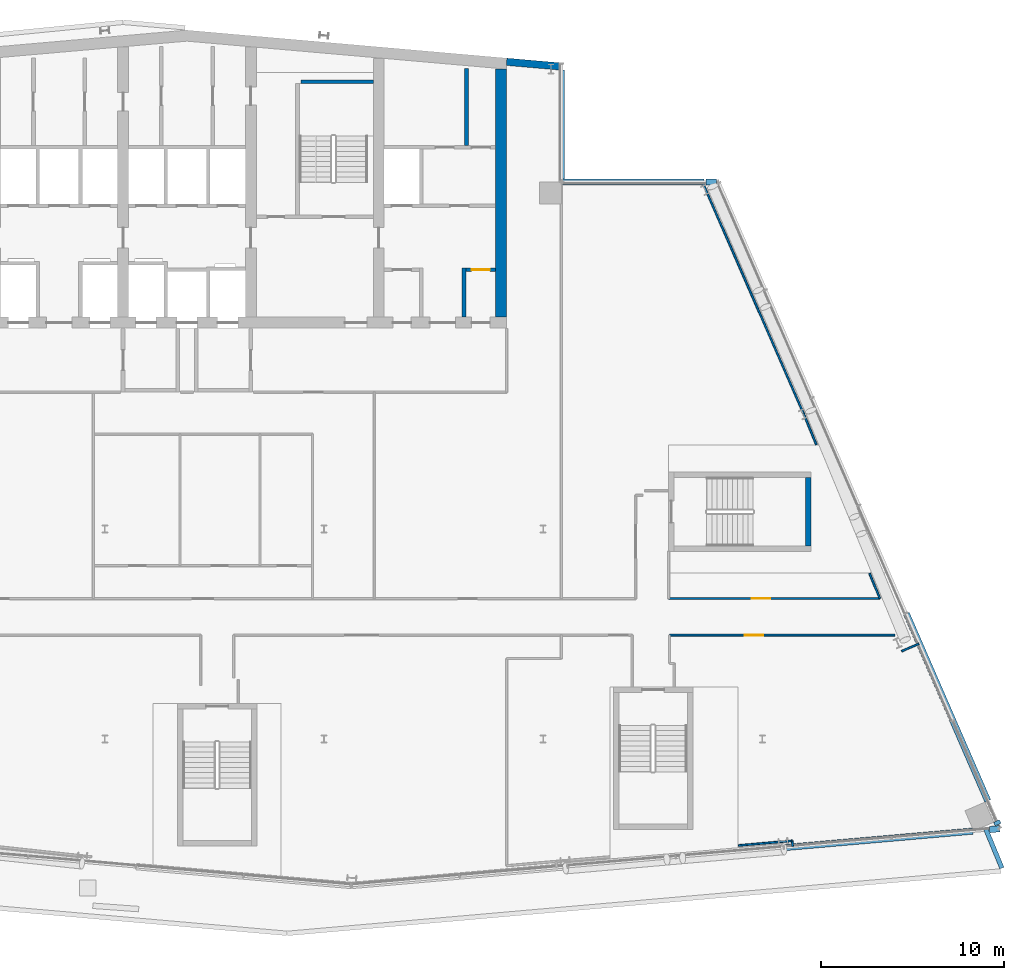
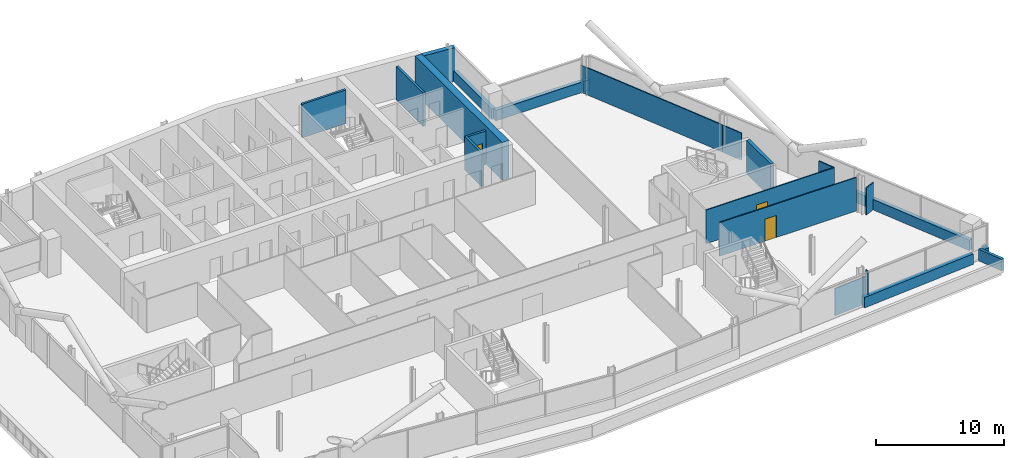
# One storey, part 18 of 27: 23 walls, 3 doors, 3 openings.
"""IFC4 building model written with IfcOpenShell, lengths in metres."""

from ifc_helpers import new_model, si_unit, direction, frame, frame_2d, origin, place, context, subcontext, project, spatial, polyline, rectangle, outline, extrude, material, layer, layer_set, type_object, element, fill, save


model = new_model("IFC4")

# Units and contexts
model_context = context("Model", 3, precision=1e-05, world=origin(), true_north=direction((0.0, 1.0)))
body_context = subcontext(model_context, "Body", "Model", "MODEL_VIEW")
ifc_project = project(units=[si_unit("LENGTHUNIT", "METRE"), si_unit("AREAUNIT", "SQUARE_METRE"), si_unit("VOLUMEUNIT", "CUBIC_METRE"), si_unit("PLANEANGLEUNIT", "RADIAN"), si_unit("MASSUNIT", "GRAM", prefix="KILO")], contexts=[model_context])

# Site, building, storey
site_placement = place(None, origin())
site = spatial("IfcSite", under=ifc_project, at=site_placement, CompositionType="ELEMENT")
building_placement = place(site_placement, origin())
building = spatial("IfcBuilding", under=site, at=building_placement, Name="Wharfspan Tower", CompositionType="ELEMENT")
storey_placement = place(building_placement, frame((0.0, 0.0, 207.100098)))
storey = spatial("IfcBuildingStorey", under=building, at=storey_placement, Name="L51", CompositionType="ELEMENT", Elevation=207.100098)

# Wall, opening, door
ifc_material_1 = material(Name="Gypsum board on steel studs", Category="steel")
ifc_layer_1 = layer(ifc_material_1, 0.100098)
ifc_layer_set_1 = layer_set([ifc_layer_1], Name="Gypsum board on steel studs")
wall_type_1 = type_object("IfcWallType", Name="Compartment wall 100 EI 60", PredefinedType="PARTITIONING", material=ifc_layer_set_1)
wall_1_placement = place(storey_placement, frame((66.870117, 19.199951, 0.0), z_axis=(0.0, 0.0, 1.0), x_axis=(1.0, 0.0, 0.0)))
wall_1 = element("IfcWall", 1, at=wall_1_placement, inside=storey, type_object=wall_type_1, Name="Partition L51.w046", PredefinedType="PARTITIONING", context=body_context, shape_type="SweptSolid", body=[
    extrude(rectangle(XDim=11.569824, YDim=0.100098, at=frame_2d((5.784912, 0.0))), origin(), (0.0, 0.0, 1.0), 3.199951),
])
opening_1_placement = place(wall_1_placement, frame((4.55127, 0.0, 0.0)))
opening_1 = element("IfcOpeningElement", 2, at=opening_1_placement, cuts=wall_1, Name="Opening D1-07", PredefinedType="OPENING", context=body_context, shape_type="SweptSolid", body=[
    extrude(rectangle(XDim=1.0, YDim=2.100098, at=frame_2d((0.5, 1.050049))), frame((0.0, 0.060059, 0.0), z_axis=(0.0, -1.0, 0.0), x_axis=(1.0, 0.0, 0.0)), (0.0, 0.0, 1.0), 0.120117),
])
ifc_material_2 = material(Name="Fire-rated timber door leaf in steel frame", Category="steel")
door_type_1 = type_object("IfcDoorType", Name="Door 1000 FD30S Left", OperationType="SINGLE_SWING_LEFT", PredefinedType="DOOR", material=ifc_material_2)
door_1_placement = place(opening_1_placement, origin())
door_1 = element("IfcDoor", 3, at=door_1_placement, inside=storey, type_object=door_type_1, Name="Door D1-07", OperationType="SINGLE_SWING_LEFT", OverallHeight=2.100098, OverallWidth=1.0, PredefinedType="DOOR", context=body_context, shape_type="SweptSolid", body=[
    extrude(rectangle(XDim=1.0, YDim=2.100098, at=frame_2d((0.5, 1.050049))), frame((0.0, 0.024902, 0.0), z_axis=(0.0, -1.0, 0.0), x_axis=(1.0, 0.0, 0.0)), (0.0, 0.0, 1.0), 0.050049),
])
fill(opening_1, door_1)

wall_2_placement = place(storey_placement, frame((66.919922, 17.195068, 0.0), z_axis=(0.0, 0.0, 1.0), x_axis=(1.0, 0.0, 0.0)))
wall_2 = element("IfcWall", 4, at=wall_2_placement, inside=storey, type_object=wall_type_1, Name="Partition L51.w048", PredefinedType="PARTITIONING", context=body_context, shape_type="SweptSolid", body=[
    extrude(rectangle(XDim=12.344971, YDim=0.100098, at=frame_2d((6.172363, 0.0))), origin(), (0.0, 0.0, 1.0), 3.199951),
])
opening_2_placement = place(wall_2_placement, frame((4.120117, 0.0, 0.0)))
opening_2 = element("IfcOpeningElement", 5, at=opening_2_placement, cuts=wall_2, Name="Opening D1-04", PredefinedType="OPENING", context=body_context, shape_type="SweptSolid", body=[
    extrude(rectangle(XDim=1.0, YDim=2.100098, at=frame_2d((0.5, 1.050049))), frame((0.0, 0.060059, 0.0), z_axis=(0.0, -1.0, 0.0), x_axis=(1.0, 0.0, 0.0)), (0.0, 0.0, 1.0), 0.120117),
])
door_2_placement = place(opening_2_placement, origin())
door_2 = element("IfcDoor", 6, at=door_2_placement, inside=storey, type_object=door_type_1, Name="Door D1-04", OperationType="SINGLE_SWING_LEFT", OverallHeight=2.100098, OverallWidth=1.0, PredefinedType="DOOR", context=body_context, shape_type="SweptSolid", body=[
    extrude(rectangle(XDim=1.0, YDim=2.100098, at=frame_2d((0.5, 1.050049))), frame((0.0, 0.024902, 0.0), z_axis=(0.0, -1.0, 0.0), x_axis=(1.0, 0.0, 0.0)), (0.0, 0.0, 1.0), 0.050049),
])
fill(opening_2, door_2)

# Wall
wall_3_placement = place(storey_placement, frame((78.439941, 19.199951, 0.0), z_axis=(0.0, 0.0, 1.0), x_axis=(-0.382605, 0.923907, 0.0)))
element("IfcWall", 7, at=wall_3_placement, inside=storey, type_object=wall_type_1, Name="Partition L51.w055", PredefinedType="PARTITIONING", context=body_context, shape_type="SweptSolid", body=[
    extrude(rectangle(XDim=1.493896, YDim=0.100098, at=frame_2d((0.74707, 0.0))), origin(), (0.0, 0.0, 1.0), 3.199951),
])

# Wall, opening, door
ifc_material_3 = material(Name="Calcium silicate masonry", Category="masonry")
ifc_layer_2 = layer(ifc_material_3, 0.199951)
ifc_layer_set_2 = layer_set([ifc_layer_2], Name="Calcium silicate masonry")
wall_type_2 = type_object("IfcWallType", Name="Core room wall 200", PredefinedType="PARTITIONING", material=ifc_layer_set_2)
wall_4_placement = place(storey_placement, frame((55.766602, 37.199951, 0.0), z_axis=(0.0, 0.0, 1.0), x_axis=(1.0, 0.0, 0.0)))
wall_4 = element("IfcWall", 8, at=wall_4_placement, inside=storey, type_object=wall_type_2, Name="sw:L51:FR6.3", PredefinedType="PARTITIONING", context=body_context, shape_type="SweptSolid", body=[
    extrude(rectangle(XDim=1.633301, YDim=0.199951, at=frame_2d((0.81665, 0.0))), origin(), (0.0, 0.0, 1.0), 3.199951),
])
opening_3_placement = place(wall_4_placement, frame((0.31665, 0.0, 0.0)))
opening_3 = element("IfcOpeningElement", 9, at=opening_3_placement, cuts=wall_4, Name="Opening CD51.6H3", PredefinedType="OPENING", context=body_context, shape_type="SweptSolid", body=[
    extrude(rectangle(XDim=1.0, YDim=2.100098, at=frame_2d((0.5, 1.050049))), frame((0.0, 0.109863, 0.0), z_axis=(0.0, -1.0, 0.0), x_axis=(1.0, 0.0, 0.0)), (0.0, 0.0, 1.0), 0.219971),
])
ifc_material_4 = material(Name="Steel door leaf", Category="steel")
door_type_2 = type_object("IfcDoorType", Name="Core room door 1000x2100", OperationType="SINGLE_SWING_LEFT", PredefinedType="DOOR", material=ifc_material_4)
door_3_placement = place(opening_3_placement, origin())
door_3 = element("IfcDoor", 10, at=door_3_placement, inside=storey, type_object=door_type_2, Name="d:L51:6:fh6.3", OperationType="SINGLE_SWING_RIGHT", OverallHeight=2.100098, OverallWidth=1.0, PredefinedType="DOOR", context=body_context, shape_type="SweptSolid", body=[
    extrude(rectangle(XDim=1.0, YDim=2.100098, at=frame_2d((0.5, 1.050049))), frame((0.0, 0.024902, 0.0), z_axis=(0.0, -1.0, 0.0), x_axis=(1.0, 0.0, 0.0)), (0.0, 0.0, 1.0), 0.050049),
])
fill(opening_3, door_3)

# Walls
wall_5_placement = place(storey_placement, frame((55.800049, 44.0, 0.0), z_axis=(0.0, 0.0, 1.0), x_axis=(0.0, 1.0, 0.0)))
element("IfcWall", 11, at=wall_5_placement, inside=storey, type_object=wall_type_2, Name="sw:L51:RP6.1", PredefinedType="PARTITIONING", context=body_context, shape_type="SweptSolid", body=[
    extrude(rectangle(XDim=4.217529, YDim=0.199951, at=frame_2d((2.108887, 0.0))), origin(), (0.0, 0.0, 1.0), 3.199951),
])
ifc_material_5 = material(Name="Concrete C50/60", Category="concrete")
ifc_layer_3 = layer(ifc_material_5, 0.600098)
ifc_layer_set_3 = layer_set([ifc_layer_3], Name="Concrete C50/60")
wall_type_3 = type_object("IfcWallType", Name="Core wall 600 C50/60", PredefinedType="SHEAR", material=ifc_layer_set_3)
wall_6_placement = place(storey_placement, frame((57.699951, 34.600098, 0.0), z_axis=(0.0, 0.0, 1.0), x_axis=(0.0, 1.0, 0.0)))
element("IfcWall", 12, at=wall_6_placement, inside=storey, type_object=wall_type_3, Name="Core cross wall EW1 L51", PredefinedType="SHEAR", context=body_context, shape_type="SweptSolid", body=[
    extrude(rectangle(XDim=13.584961, YDim=0.600098, at=frame_2d((6.79248, 0.0))), origin(), (0.0, 0.0, 1.0), 3.599854),
])
ifc_material_6 = material(Name="Concrete C30/37", Category="concrete")
ifc_layer_4 = layer(ifc_material_6, 0.199951)
ifc_layer_set_4 = layer_set([ifc_layer_4], Name="Concrete C30/37")
wall_type_4 = type_object("IfcWallType", Name="Lift shaft wall 200", PredefinedType="PARTITIONING", material=ifc_layer_set_4)
wall_7_placement = place(storey_placement, frame((0.0, 0.0, -0.000244)))
element("IfcWall", 13, at=wall_7_placement, inside=storey, type_object=wall_type_4, Name="sw:L51:FM6.1", PredefinedType="PARTITIONING", context=body_context, shape_type="SweptSolid", body=[
    extrude(outline(polyline([(55.56665, 34.600098), (55.56665, 37.300049), (55.766602, 37.300049), (55.766602, 34.600098), (55.56665, 34.600098)])), origin(), (0.0, 0.0, 1.0), 3.200195),
])
ifc_material_7 = material(Name="Concrete C40/50", Category="concrete")
ifc_layer_5 = layer(ifc_material_7, 0.25)
ifc_layer_set_5 = layer_set([ifc_layer_5], Name="Concrete C40/50")
wall_type_5 = type_object("IfcWallType", Name="PARAPET CONCRETE 250", PredefinedType="PARAPET", material=ifc_layer_set_5)
wall_8_placement = place(storey_placement, frame((84.239014, 6.571045, 0.0), z_axis=(0.0, 0.0, 1.0), x_axis=(0.381532, -0.924351, 0.0)))
element("IfcWall", 14, at=wall_8_placement, inside=storey, type_object=wall_type_5, Name="Ledge parapet", PredefinedType="PARAPET", context=body_context, shape_type="SweptSolid", body=[
    extrude(rectangle(XDim=2.302246, YDim=0.25, at=frame_2d((1.151123, 0.0))), origin(), (0.0, 0.0, 1.0), 1.099854),
])
ifc_layer_6 = layer(ifc_material_1, 0.100098)
ifc_layer_set_6 = layer_set([ifc_layer_6], Name="Gypsum board on steel studs")
wall_type_6 = type_object("IfcWallType", Name="Partition 100", PredefinedType="PARTITIONING", material=ifc_layer_set_6)
wall_9_placement = place(storey_placement, frame((70.688721, 5.676514, 0.0), z_axis=(0.0, 0.0, 1.0), x_axis=(0.996174, 0.087417, 0.0)))
element("IfcWall", 15, at=wall_9_placement, inside=storey, type_object=wall_type_6, Name="Partition L51.w051", PredefinedType="PARTITIONING", context=body_context, shape_type="SweptSolid", body=[
    extrude(rectangle(XDim=2.95752, YDim=0.100098, at=frame_2d((1.47876, 0.0))), origin(), (0.0, 0.0, 1.0), 2.579834),
])
wall_10_placement = place(storey_placement, frame((73.66333, 5.628174, 0.0), z_axis=(0.0, 0.0, 1.0), x_axis=(-0.091893, 0.995772, 0.0)))
element("IfcWall", 16, at=wall_10_placement, inside=storey, type_object=wall_type_6, Name="Partition L51.w052", PredefinedType="PARTITIONING", context=body_context, shape_type="SweptSolid", body=[
    extrude(rectangle(XDim=0.308105, YDim=0.100098, at=frame_2d((0.154053, 0.0))), origin(), (0.0, 0.0, 1.0), 3.199951),
])
wall_11_placement = place(storey_placement, frame((74.264893, 29.310059, 0.0), z_axis=(0.0, 0.0, 1.0), x_axis=(-0.400401, 0.916335, 0.0)))
element("IfcWall", 17, at=wall_11_placement, inside=storey, type_object=wall_type_6, Name="Partition L51.w053", PredefinedType="PARTITIONING", context=body_context, shape_type="SweptSolid", body=[
    extrude(rectangle(XDim=13.794678, YDim=0.100098, at=frame_2d((6.897461, 0.0))), origin(), (0.0, 0.0, 1.0), 2.579834),
])
wall_12_placement = place(storey_placement, frame((74.961914, 27.620117, 0.0), z_axis=(0.0, 0.0, 1.0), x_axis=(-0.381293, 0.924452, 0.0)))
element("IfcWall", 18, at=wall_12_placement, inside=storey, type_object=wall_type_6, Name="Partition L51.w054", PredefinedType="PARTITIONING", context=body_context, shape_type="SweptSolid", body=[
    extrude(rectangle(XDim=1.828125, YDim=0.100098, at=frame_2d((0.914062, 0.0))), origin(), (0.0, 0.0, 1.0), 2.579834),
])
wall_13_placement = place(storey_placement, frame((79.629883, 16.314941, 0.0), z_axis=(0.0, 0.0, 1.0), x_axis=(0.918616, 0.395147, 0.0)))
element("IfcWall", 19, at=wall_13_placement, inside=storey, type_object=wall_type_6, Name="Partition L51.w056", PredefinedType="PARTITIONING", context=body_context, shape_type="SweptSolid", body=[
    extrude(rectangle(XDim=1.03125, YDim=0.100098, at=frame_2d((0.515625, 0.0))), origin(), (0.0, 0.0, 1.0), 2.579834),
])
ifc_layer_7 = layer(ifc_material_7, 0.350098)
ifc_layer_set_7 = layer_set([ifc_layer_7], Name="Concrete C40/50")
wall_type_7 = type_object("IfcWallType", Name="SPANDREL EXPOSED CONCRETE 350", PredefinedType="SOLIDWALL", material=ifc_layer_set_7)
wall_14_placement = place(storey_placement, frame((73.197021, 5.562256, 0.0), z_axis=(0.0, 0.0, 1.0), x_axis=(0.996198, 0.087163, 0.0)))
element("IfcWall", 20, at=wall_14_placement, inside=storey, type_object=wall_type_7, Name="Spandrel upstand L51 S2 2", PredefinedType="SOLIDWALL", context=body_context, shape_type="SweptSolid", body=[
    extrude(rectangle(XDim=10.35791, YDim=0.350098, at=frame_2d((5.178955, 0.0))), origin(), (0.0, 0.0, 1.0), 1.0),
])
wall_15_placement = place(storey_placement, frame((84.441162, 6.546143, 0.0), z_axis=(0.0, 0.0, 1.0), x_axis=(0.996207, 0.086967, 0.0)))
element("IfcWall", 21, at=wall_15_placement, inside=storey, type_object=wall_type_7, Name="Spandrel upstand L51 S2 3", PredefinedType="SOLIDWALL", context=body_context, shape_type="SweptSolid", body=[
    extrude(rectangle(XDim=0.561523, YDim=0.350098, at=frame_2d((0.280762, 0.0))), origin(), (0.0, 0.0, 1.0), 1.0),
])
wall_16_placement = place(storey_placement, frame((84.9104, 6.818604, 0.0), z_axis=(0.0, 0.0, 1.0), x_axis=(-0.398359, 0.91723, 0.0)))
element("IfcWall", 22, at=wall_16_placement, inside=storey, type_object=wall_type_7, Name="Spandrel upstand L51 E", PredefinedType="SOLIDWALL", context=body_context, shape_type="SweptSolid", body=[
    extrude(rectangle(XDim=0.21875, YDim=0.350098, at=frame_2d((0.109375, 0.0))), origin(), (0.0, 0.0, 1.0), 1.0),
])
wall_17_placement = place(storey_placement, frame((84.344727, 8.119873, 0.0), z_axis=(0.0, 0.0, 1.0), x_axis=(-0.398721, 0.917067, 0.0)))
element("IfcWall", 23, at=wall_17_placement, inside=storey, type_object=wall_type_7, Name="Spandrel upstand L51 E 2", PredefinedType="SOLIDWALL", context=body_context, shape_type="SweptSolid", body=[
    extrude(rectangle(XDim=11.181885, YDim=0.350098, at=frame_2d((5.59082, 0.0))), origin(), (0.0, 0.0, 1.0), 1.0),
])
wall_18_placement = place(storey_placement, frame((69.498535, 42.004883, 0.0), z_axis=(0.0, 0.0, 1.0), x_axis=(-1.0, 0.0, 0.0)))
element("IfcWall", 24, at=wall_18_placement, inside=storey, type_object=wall_type_7, Name="Spandrel upstand L51 NRE-H", PredefinedType="SOLIDWALL", context=body_context, shape_type="SweptSolid", body=[
    extrude(rectangle(XDim=0.57666, YDim=0.350098, at=frame_2d((0.28833, 0.0))), origin(), (0.0, 0.0, 1.0), 1.0),
])
wall_19_placement = place(storey_placement, frame((68.803467, 42.004883, 0.0), z_axis=(0.0, 0.0, 1.0), x_axis=(-1.0, 0.0, 0.0)))
element("IfcWall", 25, at=wall_19_placement, inside=storey, type_object=wall_type_7, Name="Spandrel upstand L51 NRE-H 2", PredefinedType="SOLIDWALL", context=body_context, shape_type="SweptSolid", body=[
    extrude(rectangle(XDim=7.803467, YDim=0.350098, at=frame_2d((3.901855, 0.0))), origin(), (0.0, 0.0, 1.0), 1.0),
])
wall_20_placement = place(storey_placement, frame((61.004883, 42.179932, 0.0), z_axis=(0.0, 0.0, 1.0), x_axis=(0.0, 1.0, 0.0)))
element("IfcWall", 26, at=wall_20_placement, inside=storey, type_object=wall_type_7, Name="Spandrel upstand L51 NRE-V", PredefinedType="SOLIDWALL", context=body_context, shape_type="SweptSolid", body=[
    extrude(rectangle(XDim=5.946533, YDim=0.350098, at=frame_2d((2.973145, 0.0))), origin(), (0.0, 0.0, 1.0), 1.0),
])
ifc_layer_8 = layer(ifc_material_7, 0.300049)
ifc_layer_set_8 = layer_set([ifc_layer_8], Name="Concrete C40/50")
wall_type_8 = type_object("IfcWallType", Name="Stair core wall 300", PredefinedType="SHEAR", material=ifc_layer_set_8)
wall_21_placement = place(storey_placement, frame((74.519531, 22.074951, 0.0), z_axis=(0.0, 0.0, 1.0), x_axis=(0.0, 1.0, 0.0)))
element("IfcWall", 27, at=wall_21_placement, inside=storey, type_object=wall_type_8, Name="ST6 stair enclosure wall L51", PredefinedType="SHEAR", context=body_context, shape_type="SweptSolid", body=[
    extrude(rectangle(XDim=3.75, YDim=0.300049, at=frame_2d((1.875, 0.0))), origin(), (0.0, 0.0, 1.0), 3.199951),
])
ifc_layer_9 = layer(ifc_material_7, 0.199951)
ifc_layer_set_9 = layer_set([ifc_layer_9], Name="Concrete C40/50")
wall_type_9 = type_object("IfcWallType", Name="Stair shaft wall 200", PredefinedType="SHEAR", material=ifc_layer_set_9)
wall_22_placement = place(storey_placement, frame((46.75, 47.5, 0.0), z_axis=(0.0, 0.0, 1.0), x_axis=(1.0, 0.0, 0.0)))
element("IfcWall", 28, at=wall_22_placement, inside=storey, type_object=wall_type_9, Name="ST2 stair enclosure wall L51", PredefinedType="SHEAR", context=body_context, shape_type="SweptSolid", body=[
    extrude(rectangle(XDim=3.949951, YDim=0.199951, at=frame_2d((1.975098, 0.0))), origin(), (0.0, 0.0, 1.0), 3.199951),
])
ifc_layer_10 = layer(ifc_material_7, 0.399902)
ifc_layer_set_10 = layer_set([ifc_layer_10], Name="Concrete C40/50")
wall_type_10 = type_object("IfcWallType", Name="WALL EXPOSED CONCRETE 400", PredefinedType="SOLIDWALL", material=ifc_layer_set_10)
wall_23_placement = place(storey_placement, frame((60.982666, 48.325684, 0.0), z_axis=(0.0, 0.0, 1.0), x_axis=(-0.996194, 0.087168, 0.0)))
element("IfcWall", 29, at=wall_23_placement, inside=storey, type_object=wall_type_10, Name="Rear wall N2", PredefinedType="SOLIDWALL", context=body_context, shape_type="SweptSolid", body=[
    extrude(rectangle(XDim=2.994141, YDim=0.399902, at=frame_2d((1.49707, 0.0))), origin(), (0.0, 0.0, 1.0), 3.199951),
])

save(model, "model.ifc")
